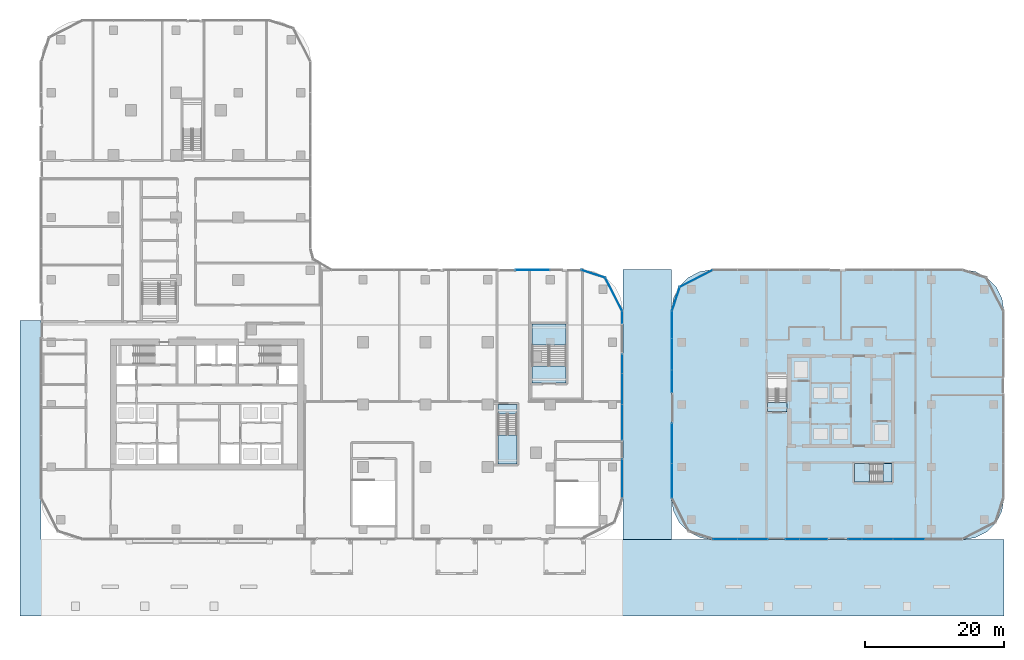
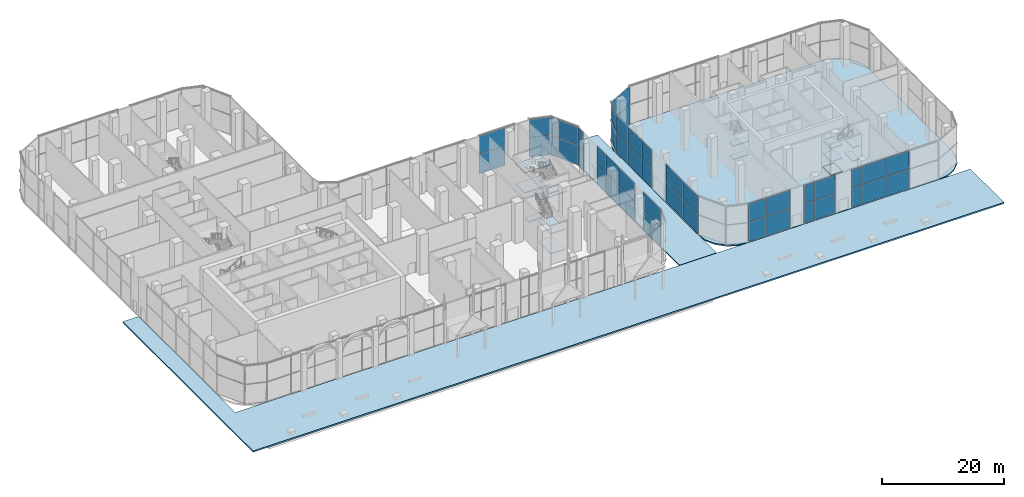
# One storey, part 25 of 54: 44 plates, 16 slabs, 15 elements without a shape of their own.
"""IFC4 building model written with IfcOpenShell, lengths in metres."""

from ifc_helpers import new_model, si_unit, direction, frame, origin, origin_2d, place, context, subcontext, project, spatial, polyline, rectangle, outline, extrude, material, layer, layer_set, type_object, element, aggregate, save


model = new_model("IFC4")

# Units and contexts
model_context = context("Model", 3, precision=1e-05, world=origin(), true_north=direction((0.0, 1.0)))
body_context = subcontext(model_context, "Body", "Model", "MODEL_VIEW")
ifc_project = project(units=[si_unit("LENGTHUNIT", "METRE"), si_unit("AREAUNIT", "SQUARE_METRE"), si_unit("VOLUMEUNIT", "CUBIC_METRE"), si_unit("PLANEANGLEUNIT", "RADIAN"), si_unit("MASSUNIT", "GRAM", prefix="KILO")], contexts=[model_context])

# Site, building, storey
site_placement = place(None, origin())
site = spatial("IfcSite", under=ifc_project, at=site_placement, CompositionType="ELEMENT")
building_placement = place(site_placement, origin())
building = spatial("IfcBuilding", under=site, at=building_placement, Name="Ogive Portal Towers", CompositionType="ELEMENT")
storey_placement = place(building_placement, origin())
storey = spatial("IfcBuildingStorey", under=building, at=storey_placement, Name="L00", CompositionType="ELEMENT", Elevation=0.0)

# Curtain wall, plates
ifc_material_1 = material(Name="Glass, clear low-iron insulated glazing", Category="glass")
curtain_wall_type = type_object("IfcCurtainWallType", Name="CW PODIUM SHOPFRONT", PredefinedType="NOTDEFINED", material=ifc_material_1)
curtain_wall_1_placement = place(storey_placement, origin())
curtain_wall_1 = element("IfcCurtainWall", 1, at=curtain_wall_1_placement, inside=storey, type_object=curtain_wall_type, Name="A:L00:f05:cw0", PredefinedType="NOTDEFINED")
ifc_layer_1 = layer(ifc_material_1, 0.028076171875)
ifc_layer_set_1 = layer_set([ifc_layer_1], Name="CW PANEL IGU 28")
plate_type = type_object("IfcPlateType", Name="CW PANEL IGU 28", PredefinedType="CURTAIN_PANEL", material=ifc_layer_set_1)
plate_1_placement = place(storey_placement, frame((104.919921875, 19.809326171875, 0.06005859375), z_axis=(0.0, 0.0, 1.0), x_axis=(0.0, 1.0, 0.0)))
plate_1 = element("IfcPlate", 2, at=plate_1_placement, type_object=plate_type, Name="panel", PredefinedType="CURTAIN_PANEL", context=body_context, shape_type="SweptSolid", body=[
    extrude(rectangle(XDim=5.533447265625, YDim=0.028076171875, at=origin_2d()), origin(), (0.0, 0.0, 1.0), 3.909912109375),
])
plate_2_placement = place(storey_placement, frame((104.919921875, 19.809326171875, 4.02978515625), z_axis=(0.0, 0.0, 1.0), x_axis=(0.0, 1.0, 0.0)))
plate_2 = element("IfcPlate", 3, at=plate_2_placement, type_object=plate_type, Name="panel", PredefinedType="CURTAIN_PANEL", context=body_context, shape_type="SweptSolid", body=[
    extrude(rectangle(XDim=5.533447265625, YDim=0.028076171875, at=origin_2d()), origin(), (0.0, 0.0, 1.0), 3.610107421875),
])
aggregate(curtain_wall_1, [plate_1, plate_2])

curtain_wall_2_placement = place(storey_placement, origin())
curtain_wall_2 = element("IfcCurtainWall", 4, at=curtain_wall_2_placement, inside=storey, type_object=curtain_wall_type, Name="A:L00:f05:cw1", PredefinedType="NOTDEFINED")
plate_3_placement = place(storey_placement, frame((104.919921875, 27.951416015625, 0.06005859375), z_axis=(0.0, 0.0, 1.0), x_axis=(0.0, 1.0, 0.0)))
plate_3 = element("IfcPlate", 5, at=plate_3_placement, type_object=plate_type, Name="panel", PredefinedType="CURTAIN_PANEL", context=body_context, shape_type="SweptSolid", body=[
    extrude(rectangle(XDim=5.037353515625, YDim=0.028076171875, at=origin_2d()), origin(), (0.0, 0.0, 1.0), 3.909912109375),
])
plate_4_placement = place(storey_placement, frame((104.919921875, 27.951416015625, 4.02978515625), z_axis=(0.0, 0.0, 1.0), x_axis=(0.0, 1.0, 0.0)))
plate_4 = element("IfcPlate", 6, at=plate_4_placement, type_object=plate_type, Name="panel", PredefinedType="CURTAIN_PANEL", context=body_context, shape_type="SweptSolid", body=[
    extrude(rectangle(XDim=5.037353515625, YDim=0.028076171875, at=origin_2d()), origin(), (0.0, 0.0, 1.0), 3.610107421875),
])
plate_5_placement = place(storey_placement, frame((104.919921875, 32.75, 0.06005859375), z_axis=(0.0, 0.0, 1.0), x_axis=(0.0, 1.0, 0.0)))
plate_5 = element("IfcPlate", 7, at=plate_5_placement, type_object=plate_type, Name="panel", PredefinedType="CURTAIN_PANEL", context=body_context, shape_type="SweptSolid", body=[
    extrude(rectangle(XDim=4.43994140625, YDim=0.028076171875, at=origin_2d()), origin(), (0.0, 0.0, 1.0), 3.909912109375),
])
plate_6_placement = place(storey_placement, frame((104.919921875, 32.75, 4.02978515625), z_axis=(0.0, 0.0, 1.0), x_axis=(0.0, 1.0, 0.0)))
plate_6 = element("IfcPlate", 8, at=plate_6_placement, type_object=plate_type, Name="panel", PredefinedType="CURTAIN_PANEL", context=body_context, shape_type="SweptSolid", body=[
    extrude(rectangle(XDim=4.43994140625, YDim=0.028076171875, at=origin_2d()), origin(), (0.0, 0.0, 1.0), 3.610107421875),
])
plate_7_placement = place(storey_placement, frame((104.919921875, 36.369140625, 0.06005859375), z_axis=(0.0, 0.0, 1.0), x_axis=(0.0, 1.0, 0.0)))
plate_7 = element("IfcPlate", 9, at=plate_7_placement, type_object=plate_type, Name="panel", PredefinedType="CURTAIN_PANEL", context=body_context, shape_type="SweptSolid", body=[
    extrude(rectangle(XDim=2.67822265625, YDim=0.028076171875, at=origin_2d()), origin(), (0.0, 0.0, 1.0), 3.909912109375),
])
plate_8_placement = place(storey_placement, frame((104.919921875, 36.369140625, 4.02978515625), z_axis=(0.0, 0.0, 1.0), x_axis=(0.0, 1.0, 0.0)))
plate_8 = element("IfcPlate", 10, at=plate_8_placement, type_object=plate_type, Name="panel", PredefinedType="CURTAIN_PANEL", context=body_context, shape_type="SweptSolid", body=[
    extrude(rectangle(XDim=2.67822265625, YDim=0.028076171875, at=origin_2d()), origin(), (0.0, 0.0, 1.0), 3.610107421875),
])
aggregate(curtain_wall_2, [plate_3, plate_4, plate_5, plate_6, plate_7, plate_8])

curtain_wall_3_placement = place(storey_placement, origin())
curtain_wall_3 = element("IfcCurtainWall", 11, at=curtain_wall_3_placement, inside=storey, type_object=curtain_wall_type, Name="A:L00:f05:cw2", PredefinedType="NOTDEFINED")
plate_9_placement = place(storey_placement, frame((104.919921875, 43.10693359375, 0.06005859375), z_axis=(0.0, 0.0, 1.0), x_axis=(0.0, 1.0, 0.0)))
plate_9 = element("IfcPlate", 12, at=plate_9_placement, type_object=plate_type, Name="panel", PredefinedType="CURTAIN_PANEL", context=body_context, shape_type="SweptSolid", body=[
    extrude(rectangle(XDim=1.68798828125, YDim=0.028076171875, at=origin_2d()), origin(), (0.0, 0.0, 1.0), 3.909912109375),
])
plate_10_placement = place(storey_placement, frame((104.919921875, 43.10693359375, 4.02978515625), z_axis=(0.0, 0.0, 1.0), x_axis=(0.0, 1.0, 0.0)))
plate_10 = element("IfcPlate", 13, at=plate_10_placement, type_object=plate_type, Name="panel", PredefinedType="CURTAIN_PANEL", context=body_context, shape_type="SweptSolid", body=[
    extrude(rectangle(XDim=1.68798828125, YDim=0.028076171875, at=origin_2d()), origin(), (0.0, 0.0, 1.0), 3.610107421875),
])
aggregate(curtain_wall_3, [plate_9, plate_10])

curtain_wall_4_placement = place(storey_placement, origin())
curtain_wall_4 = element("IfcCurtainWall", 14, at=curtain_wall_4_placement, inside=storey, type_object=curtain_wall_type, Name="A:L00:f08:cw0", PredefinedType="NOTDEFINED")
plate_11_placement = place(storey_placement, frame((92.017578125, 49.919921875, 0.06005859375), z_axis=(0.0, 0.0, 1.0), x_axis=(-1.0, 0.0, 0.0)))
plate_11 = element("IfcPlate", 15, at=plate_11_placement, type_object=plate_type, Name="panel", PredefinedType="CURTAIN_PANEL", context=body_context, shape_type="SweptSolid", body=[
    extrude(rectangle(XDim=4.905029296875, YDim=0.028076171875, at=origin_2d()), origin(), (0.0, 0.0, 1.0), 3.909912109375),
])
plate_12_placement = place(storey_placement, frame((92.017578125, 49.919921875, 4.02978515625), z_axis=(0.0, 0.0, 1.0), x_axis=(-1.0, 0.0, 0.0)))
plate_12 = element("IfcPlate", 16, at=plate_12_placement, type_object=plate_type, Name="panel", PredefinedType="CURTAIN_PANEL", context=body_context, shape_type="SweptSolid", body=[
    extrude(rectangle(XDim=4.905029296875, YDim=0.028076171875, at=origin_2d()), origin(), (0.0, 0.0, 1.0), 3.610107421875),
])
aggregate(curtain_wall_4, [plate_11, plate_12])

curtain_wall_5_placement = place(storey_placement, origin())
curtain_wall_5 = element("IfcCurtainWall", 17, at=curtain_wall_5_placement, inside=storey, type_object=curtain_wall_type, Name="A:L00:f06:cwa", PredefinedType="NOTDEFINED")
plate_13_placement = place(storey_placement, frame((103.6953125, 46.384521484375, 0.06005859375), z_axis=(0.0, 0.0, 1.0), x_axis=(-0.45399049974, 0.891006524188, 0.0)))
plate_13 = element("IfcPlate", 18, at=plate_13_placement, type_object=plate_type, Name="panel", PredefinedType="CURTAIN_PANEL", context=body_context, shape_type="SweptSolid", body=[
    extrude(rectangle(XDim=5.33544921875, YDim=0.028076171875, at=origin_2d()), origin(), (0.0, 0.0, 1.0), 3.909912109375),
])
plate_14_placement = place(storey_placement, frame((103.6953125, 46.384521484375, 4.02978515625), z_axis=(0.0, 0.0, 1.0), x_axis=(-0.45399049974, 0.891006524188, 0.0)))
plate_14 = element("IfcPlate", 19, at=plate_14_placement, type_object=plate_type, Name="panel", PredefinedType="CURTAIN_PANEL", context=body_context, shape_type="SweptSolid", body=[
    extrude(rectangle(XDim=5.33544921875, YDim=0.028076171875, at=origin_2d()), origin(), (0.0, 0.0, 1.0), 3.610107421875),
])
plate_15_placement = place(storey_placement, frame((100.72900390625, 49.354248046875, 0.06005859375), z_axis=(0.0, 0.0, 1.0), x_axis=(-0.951056516295, 0.309016994375, 0.0)))
plate_15 = element("IfcPlate", 20, at=plate_15_placement, type_object=plate_type, Name="panel", PredefinedType="CURTAIN_PANEL", context=body_context, shape_type="SweptSolid", body=[
    extrude(rectangle(XDim=3.602294921875, YDim=0.028076171875, at=origin_2d()), origin(), (0.0, 0.0, 1.0), 3.909912109375),
])
plate_16_placement = place(storey_placement, frame((100.72900390625, 49.354248046875, 4.02978515625), z_axis=(0.0, 0.0, 1.0), x_axis=(-0.951056516295, 0.309016994375, 0.0)))
plate_16 = element("IfcPlate", 21, at=plate_16_placement, type_object=plate_type, Name="panel", PredefinedType="CURTAIN_PANEL", context=body_context, shape_type="SweptSolid", body=[
    extrude(rectangle(XDim=3.602294921875, YDim=0.028076171875, at=origin_2d()), origin(), (0.0, 0.0, 1.0), 3.610107421875),
])
aggregate(curtain_wall_5, [plate_13, plate_14, plate_15, plate_16])

curtain_wall_6_placement = place(storey_placement, origin())
curtain_wall_6 = element("IfcCurtainWall", 22, at=curtain_wall_6_placement, inside=storey, type_object=curtain_wall_type, Name="B:L00:f02:cw0", PredefinedType="NOTDEFINED")
plate_17_placement = place(storey_placement, frame((119.75634765625, 11.080078125, 0.06005859375), z_axis=(0.0, 0.0, 1.0), x_axis=(1.0, 0.0, 0.0)))
plate_17 = element("IfcPlate", 23, at=plate_17_placement, type_object=plate_type, Name="panel", PredefinedType="CURTAIN_PANEL", context=body_context, shape_type="SweptSolid", body=[
    extrude(rectangle(XDim=3.42724609375, YDim=0.028076171875, at=origin_2d()), origin(), (0.0, 0.0, 1.0), 3.909912109375),
])
plate_18_placement = place(storey_placement, frame((119.75634765625, 11.080078125, 4.02978515625), z_axis=(0.0, 0.0, 1.0), x_axis=(1.0, 0.0, 0.0)))
plate_18 = element("IfcPlate", 24, at=plate_18_placement, type_object=plate_type, Name="panel", PredefinedType="CURTAIN_PANEL", context=body_context, shape_type="SweptSolid", body=[
    extrude(rectangle(XDim=3.42724609375, YDim=0.028076171875, at=origin_2d()), origin(), (0.0, 0.0, 1.0), 3.610107421875),
])
plate_19_placement = place(storey_placement, frame((123.702880859375, 11.080078125, 0.06005859375), z_axis=(0.0, 0.0, 1.0), x_axis=(1.0, 0.0, 0.0)))
plate_19 = element("IfcPlate", 25, at=plate_19_placement, type_object=plate_type, Name="panel", PredefinedType="CURTAIN_PANEL", context=body_context, shape_type="SweptSolid", body=[
    extrude(rectangle(XDim=4.345703125, YDim=0.028076171875, at=origin_2d()), origin(), (0.0, 0.0, 1.0), 3.909912109375),
])
plate_20_placement = place(storey_placement, frame((123.702880859375, 11.080078125, 4.02978515625), z_axis=(0.0, 0.0, 1.0), x_axis=(1.0, 0.0, 0.0)))
plate_20 = element("IfcPlate", 26, at=plate_20_placement, type_object=plate_type, Name="panel", PredefinedType="CURTAIN_PANEL", context=body_context, shape_type="SweptSolid", body=[
    extrude(rectangle(XDim=4.345703125, YDim=0.028076171875, at=origin_2d()), origin(), (0.0, 0.0, 1.0), 3.610107421875),
])
aggregate(curtain_wall_6, [plate_17, plate_18, plate_19, plate_20])

curtain_wall_7_placement = place(storey_placement, origin())
curtain_wall_7 = element("IfcCurtainWall", 27, at=curtain_wall_7_placement, inside=storey, type_object=curtain_wall_type, Name="B:L00:f02:cw1", PredefinedType="NOTDEFINED")
plate_21_placement = place(storey_placement, frame((129.501708984375, 11.080078125, 0.06005859375), z_axis=(0.0, 0.0, 1.0), x_axis=(1.0, 0.0, 0.0)))
plate_21 = element("IfcPlate", 28, at=plate_21_placement, type_object=plate_type, Name="panel", PredefinedType="CURTAIN_PANEL", context=body_context, shape_type="SweptSolid", body=[
    extrude(rectangle(XDim=1.9365234375, YDim=0.028076171875, at=origin_2d()), origin(), (0.0, 0.0, 1.0), 3.909912109375),
])
plate_22_placement = place(storey_placement, frame((129.501708984375, 11.080078125, 4.02978515625), z_axis=(0.0, 0.0, 1.0), x_axis=(1.0, 0.0, 0.0)))
plate_22 = element("IfcPlate", 29, at=plate_22_placement, type_object=plate_type, Name="panel", PredefinedType="CURTAIN_PANEL", context=body_context, shape_type="SweptSolid", body=[
    extrude(rectangle(XDim=1.9365234375, YDim=0.028076171875, at=origin_2d()), origin(), (0.0, 0.0, 1.0), 3.610107421875),
])
plate_23_placement = place(storey_placement, frame((132.4990234375, 11.080078125, 0.06005859375), z_axis=(0.0, 0.0, 1.0), x_axis=(1.0, 0.0, 0.0)))
plate_23 = element("IfcPlate", 30, at=plate_23_placement, type_object=plate_type, Name="panel", PredefinedType="CURTAIN_PANEL", context=body_context, shape_type="SweptSolid", body=[
    extrude(rectangle(XDim=3.93798828125, YDim=0.028076171875, at=origin_2d()), origin(), (0.0, 0.0, 1.0), 3.909912109375),
])
plate_24_placement = place(storey_placement, frame((132.4990234375, 11.080078125, 4.02978515625), z_axis=(0.0, 0.0, 1.0), x_axis=(1.0, 0.0, 0.0)))
plate_24 = element("IfcPlate", 31, at=plate_24_placement, type_object=plate_type, Name="panel", PredefinedType="CURTAIN_PANEL", context=body_context, shape_type="SweptSolid", body=[
    extrude(rectangle(XDim=3.93798828125, YDim=0.028076171875, at=origin_2d()), origin(), (0.0, 0.0, 1.0), 3.610107421875),
])
aggregate(curtain_wall_7, [plate_21, plate_22, plate_23, plate_24])

curtain_wall_8_placement = place(storey_placement, origin())
curtain_wall_8 = element("IfcCurtainWall", 32, at=curtain_wall_8_placement, inside=storey, type_object=curtain_wall_type, Name="B:L00:f02:cw2", PredefinedType="NOTDEFINED")
plate_25_placement = place(storey_placement, frame((138.497802734375, 11.080078125, 0.06005859375), z_axis=(0.0, 0.0, 1.0), x_axis=(1.0, 0.0, 0.0)))
plate_25 = element("IfcPlate", 33, at=plate_25_placement, type_object=plate_type, Name="panel", PredefinedType="CURTAIN_PANEL", context=body_context, shape_type="SweptSolid", body=[
    extrude(rectangle(XDim=1.944580078125, YDim=0.028076171875, at=origin_2d()), origin(), (0.0, 0.0, 1.0), 3.909912109375),
])
plate_26_placement = place(storey_placement, frame((138.497802734375, 11.080078125, 4.02978515625), z_axis=(0.0, 0.0, 1.0), x_axis=(1.0, 0.0, 0.0)))
plate_26 = element("IfcPlate", 34, at=plate_26_placement, type_object=plate_type, Name="panel", PredefinedType="CURTAIN_PANEL", context=body_context, shape_type="SweptSolid", body=[
    extrude(rectangle(XDim=1.944580078125, YDim=0.028076171875, at=origin_2d()), origin(), (0.0, 0.0, 1.0), 3.610107421875),
])
plate_27_placement = place(storey_placement, frame((141.75, 11.080078125, 0.06005859375), z_axis=(0.0, 0.0, 1.0), x_axis=(1.0, 0.0, 0.0)))
plate_27 = element("IfcPlate", 35, at=plate_27_placement, type_object=plate_type, Name="panel", PredefinedType="CURTAIN_PANEL", context=body_context, shape_type="SweptSolid", body=[
    extrude(rectangle(XDim=4.43994140625, YDim=0.028076171875, at=origin_2d()), origin(), (0.0, 0.0, 1.0), 3.909912109375),
])
plate_28_placement = place(storey_placement, frame((141.75, 11.080078125, 4.02978515625), z_axis=(0.0, 0.0, 1.0), x_axis=(1.0, 0.0, 0.0)))
plate_28 = element("IfcPlate", 36, at=plate_28_placement, type_object=plate_type, Name="panel", PredefinedType="CURTAIN_PANEL", context=body_context, shape_type="SweptSolid", body=[
    extrude(rectangle(XDim=4.43994140625, YDim=0.028076171875, at=origin_2d()), origin(), (0.0, 0.0, 1.0), 3.610107421875),
])
plate_29_placement = place(storey_placement, frame((146.25, 11.080078125, 0.06005859375), z_axis=(0.0, 0.0, 1.0), x_axis=(1.0, 0.0, 0.0)))
plate_29 = element("IfcPlate", 37, at=plate_29_placement, type_object=plate_type, Name="panel", PredefinedType="CURTAIN_PANEL", context=body_context, shape_type="SweptSolid", body=[
    extrude(rectangle(XDim=4.43994140625, YDim=0.028076171875, at=origin_2d()), origin(), (0.0, 0.0, 1.0), 3.909912109375),
])
plate_30_placement = place(storey_placement, frame((146.25, 11.080078125, 4.02978515625), z_axis=(0.0, 0.0, 1.0), x_axis=(1.0, 0.0, 0.0)))
plate_30 = element("IfcPlate", 38, at=plate_30_placement, type_object=plate_type, Name="panel", PredefinedType="CURTAIN_PANEL", context=body_context, shape_type="SweptSolid", body=[
    extrude(rectangle(XDim=4.43994140625, YDim=0.028076171875, at=origin_2d()), origin(), (0.0, 0.0, 1.0), 3.610107421875),
])
aggregate(curtain_wall_8, [plate_25, plate_26, plate_27, plate_28, plate_29, plate_30])

curtain_wall_9_placement = place(storey_placement, origin())
curtain_wall_9 = element("IfcCurtainWall", 39, at=curtain_wall_9_placement, inside=storey, type_object=curtain_wall_type, Name="B:L00:f11:cw0", PredefinedType="NOTDEFINED")
plate_31_placement = place(storey_placement, frame((112.080078125, 41.99365234375, 0.06005859375), z_axis=(0.0, 0.0, 1.0), x_axis=(0.0, -1.0, 0.0)))
plate_31 = element("IfcPlate", 40, at=plate_31_placement, type_object=plate_type, Name="panel", PredefinedType="CURTAIN_PANEL", context=body_context, shape_type="SweptSolid", body=[
    extrude(rectangle(XDim=3.92724609375, YDim=0.028076171875, at=origin_2d()), origin(), (0.0, 0.0, 1.0), 3.909912109375),
])
plate_32_placement = place(storey_placement, frame((112.080078125, 41.99365234375, 4.02978515625), z_axis=(0.0, 0.0, 1.0), x_axis=(0.0, -1.0, 0.0)))
plate_32 = element("IfcPlate", 41, at=plate_32_placement, type_object=plate_type, Name="panel", PredefinedType="CURTAIN_PANEL", context=body_context, shape_type="SweptSolid", body=[
    extrude(rectangle(XDim=3.92724609375, YDim=0.028076171875, at=origin_2d()), origin(), (0.0, 0.0, 1.0), 3.610107421875),
])
plate_33_placement = place(storey_placement, frame((112.080078125, 37.75, 0.06005859375), z_axis=(0.0, 0.0, 1.0), x_axis=(0.0, -1.0, 0.0)))
plate_33 = element("IfcPlate", 42, at=plate_33_placement, type_object=plate_type, Name="panel", PredefinedType="CURTAIN_PANEL", context=body_context, shape_type="SweptSolid", body=[
    extrude(rectangle(XDim=4.43994140625, YDim=0.028076171875, at=origin_2d()), origin(), (0.0, 0.0, 1.0), 3.909912109375),
])
plate_34_placement = place(storey_placement, frame((112.080078125, 37.75, 4.02978515625), z_axis=(0.0, 0.0, 1.0), x_axis=(0.0, -1.0, 0.0)))
plate_34 = element("IfcPlate", 43, at=plate_34_placement, type_object=plate_type, Name="panel", PredefinedType="CURTAIN_PANEL", context=body_context, shape_type="SweptSolid", body=[
    extrude(rectangle(XDim=4.43994140625, YDim=0.028076171875, at=origin_2d()), origin(), (0.0, 0.0, 1.0), 3.610107421875),
])
plate_35_placement = place(storey_placement, frame((112.080078125, 33.87548828125, 0.06005859375), z_axis=(0.0, 0.0, 1.0), x_axis=(0.0, -1.0, 0.0)))
plate_35 = element("IfcPlate", 44, at=plate_35_placement, type_object=plate_type, Name="panel", PredefinedType="CURTAIN_PANEL", context=body_context, shape_type="SweptSolid", body=[
    extrude(rectangle(XDim=3.188720703125, YDim=0.028076171875, at=origin_2d()), origin(), (0.0, 0.0, 1.0), 3.909912109375),
])
plate_36_placement = place(storey_placement, frame((112.080078125, 33.87548828125, 4.02978515625), z_axis=(0.0, 0.0, 1.0), x_axis=(0.0, -1.0, 0.0)))
plate_36 = element("IfcPlate", 45, at=plate_36_placement, type_object=plate_type, Name="panel", PredefinedType="CURTAIN_PANEL", context=body_context, shape_type="SweptSolid", body=[
    extrude(rectangle(XDim=3.188720703125, YDim=0.028076171875, at=origin_2d()), origin(), (0.0, 0.0, 1.0), 3.610107421875),
])
aggregate(curtain_wall_9, [plate_31, plate_32, plate_33, plate_34, plate_35, plate_36])

curtain_wall_10_placement = place(storey_placement, origin())
curtain_wall_10 = element("IfcCurtainWall", 46, at=curtain_wall_10_placement, inside=storey, type_object=curtain_wall_type, Name="B:L00:f11:cw1", PredefinedType="NOTDEFINED")
plate_37_placement = place(storey_placement, frame((112.080078125, 24.878173828125, 0.06005859375), z_axis=(0.0, 0.0, 1.0), x_axis=(0.0, -1.0, 0.0)))
plate_37 = element("IfcPlate", 47, at=plate_37_placement, type_object=plate_type, Name="panel", PredefinedType="CURTAIN_PANEL", context=body_context, shape_type="SweptSolid", body=[
    extrude(rectangle(XDim=5.696533203125, YDim=0.028076171875, at=origin_2d()), origin(), (0.0, 0.0, 1.0), 3.909912109375),
])
plate_38_placement = place(storey_placement, frame((112.080078125, 24.878173828125, 4.02978515625), z_axis=(0.0, 0.0, 1.0), x_axis=(0.0, -1.0, 0.0)))
plate_38 = element("IfcPlate", 48, at=plate_38_placement, type_object=plate_type, Name="panel", PredefinedType="CURTAIN_PANEL", context=body_context, shape_type="SweptSolid", body=[
    extrude(rectangle(XDim=5.696533203125, YDim=0.028076171875, at=origin_2d()), origin(), (0.0, 0.0, 1.0), 3.610107421875),
])
plate_39_placement = place(storey_placement, frame((112.080078125, 19.509521484375, 0.06005859375), z_axis=(0.0, 0.0, 1.0), x_axis=(0.0, -1.0, 0.0)))
plate_39 = element("IfcPlate", 49, at=plate_39_placement, type_object=plate_type, Name="panel", PredefinedType="CURTAIN_PANEL", context=body_context, shape_type="SweptSolid", body=[
    extrude(rectangle(XDim=4.9208984375, YDim=0.028076171875, at=origin_2d()), origin(), (0.0, 0.0, 1.0), 3.909912109375),
])
plate_40_placement = place(storey_placement, frame((112.080078125, 19.509521484375, 4.02978515625), z_axis=(0.0, 0.0, 1.0), x_axis=(0.0, -1.0, 0.0)))
plate_40 = element("IfcPlate", 50, at=plate_40_placement, type_object=plate_type, Name="panel", PredefinedType="CURTAIN_PANEL", context=body_context, shape_type="SweptSolid", body=[
    extrude(rectangle(XDim=4.9208984375, YDim=0.028076171875, at=origin_2d()), origin(), (0.0, 0.0, 1.0), 3.610107421875),
])
aggregate(curtain_wall_10, [plate_37, plate_38, plate_39, plate_40])

curtain_wall_11_placement = place(storey_placement, origin())
curtain_wall_11 = element("IfcCurtainWall", 51, at=curtain_wall_11_placement, inside=storey, type_object=curtain_wall_type, Name="B:L00:f09:cwa", PredefinedType="NOTDEFINED")
plate_41_placement = place(storey_placement, frame((115.615478515625, 48.6953125, 0.06005859375), z_axis=(0.0, 0.0, 1.0), x_axis=(-0.891006524188, -0.45399049974, 0.0)))
plate_41 = element("IfcPlate", 52, at=plate_41_placement, type_object=plate_type, Name="panel", PredefinedType="CURTAIN_PANEL", context=body_context, shape_type="SweptSolid", body=[
    extrude(rectangle(XDim=5.33544921875, YDim=0.028076171875, at=origin_2d()), origin(), (0.0, 0.0, 1.0), 3.909912109375),
])
plate_42_placement = place(storey_placement, frame((115.615478515625, 48.6953125, 4.02978515625), z_axis=(0.0, 0.0, 1.0), x_axis=(-0.891006524188, -0.45399049974, 0.0)))
plate_42 = element("IfcPlate", 53, at=plate_42_placement, type_object=plate_type, Name="panel", PredefinedType="CURTAIN_PANEL", context=body_context, shape_type="SweptSolid", body=[
    extrude(rectangle(XDim=5.33544921875, YDim=0.028076171875, at=origin_2d()), origin(), (0.0, 0.0, 1.0), 3.610107421875),
])
plate_43_placement = place(storey_placement, frame((112.645751953125, 45.72900390625, 0.06005859375), z_axis=(0.0, 0.0, 1.0), x_axis=(-0.309016994375, -0.951056516295, 0.0)))
plate_43 = element("IfcPlate", 54, at=plate_43_placement, type_object=plate_type, Name="panel", PredefinedType="CURTAIN_PANEL", context=body_context, shape_type="SweptSolid", body=[
    extrude(rectangle(XDim=3.602294921875, YDim=0.028076171875, at=origin_2d()), origin(), (0.0, 0.0, 1.0), 3.909912109375),
])
plate_44_placement = place(storey_placement, frame((112.645751953125, 45.72900390625, 4.02978515625), z_axis=(0.0, 0.0, 1.0), x_axis=(-0.309016994375, -0.951056516295, 0.0)))
plate_44 = element("IfcPlate", 55, at=plate_44_placement, type_object=plate_type, Name="panel", PredefinedType="CURTAIN_PANEL", context=body_context, shape_type="SweptSolid", body=[
    extrude(rectangle(XDim=3.602294921875, YDim=0.028076171875, at=origin_2d()), origin(), (0.0, 0.0, 1.0), 3.610107421875),
])
aggregate(curtain_wall_11, [plate_41, plate_42, plate_43, plate_44])

# Stair, slabs
ifc_material_2 = material(Name="Concrete C40/50", Category="concrete")
stair_type = type_object("IfcStairType", Name="INT-STAIR", PredefinedType="HALF_TURN_STAIR", material=ifc_material_2)
stair_1_placement = place(storey_placement, origin())
stair_1 = element("IfcStair", 56, at=stair_1_placement, inside=storey, type_object=stair_type, Name="L00 Exit Stair ST-A4", PredefinedType="HALF_TURN_STAIR")
ifc_layer_2 = layer(ifc_material_2, 0.199951171875)
ifc_layer_set_2 = layer_set([ifc_layer_2], Name="INT-LANDING")
slab_type_1 = type_object("IfcSlabType", Name="INT-LANDING", PredefinedType="LANDING", material=ifc_layer_set_2)
slab_1_placement = place(storey_placement, frame((0.0, 0.0, 1.800048828125)))
slab_1 = element("IfcSlab", 57, at=slab_1_placement, type_object=slab_type_1, Name="ST-A4 landing 1", PredefinedType="LANDING", context=body_context, shape_type="SweptSolid", body=[
    extrude(outline(polyline([(87.0, 26.090087890625), (87.0, 21.949951171875), (89.699951171875, 21.949951171875), (89.699951171875, 26.090087890625), (87.0, 26.090087890625)])), origin(), (0.0, 0.0, 1.0), 0.199951171875),
])
slab_2_placement = place(storey_placement, frame((0.0, 0.0, 3.800048828125)))
slab_2 = element("IfcSlab", 58, at=slab_2_placement, type_object=slab_type_1, Name="ST-A4 landing 2", PredefinedType="LANDING", context=body_context, shape_type="SweptSolid", body=[
    extrude(outline(polyline([(87.0, 30.5), (87.0, 29.169921875), (89.699951171875, 29.169921875), (89.699951171875, 30.5), (87.0, 30.5)])), origin(), (0.0, 0.0, 1.0), 0.199951171875),
])
slab_3_placement = place(storey_placement, frame((0.0, 0.0, 5.800048828125)))
slab_3 = element("IfcSlab", 59, at=slab_3_placement, type_object=slab_type_1, Name="ST-A4 landing 3", PredefinedType="LANDING", context=body_context, shape_type="SweptSolid", body=[
    extrude(outline(polyline([(87.0, 26.090087890625), (87.0, 21.949951171875), (89.699951171875, 21.949951171875), (89.699951171875, 26.090087890625), (87.0, 26.090087890625)])), origin(), (0.0, 0.0, 1.0), 0.199951171875),
])
aggregate(stair_1, [slab_1, slab_2, slab_3])

stair_2_placement = place(storey_placement, origin())
stair_2 = element("IfcStair", 60, at=stair_2_placement, inside=storey, type_object=stair_type, Name="L00 Exit Stair ST-B1", PredefinedType="HALF_TURN_STAIR")
slab_4_placement = place(storey_placement, frame((0.0, 0.0, 2.466552734375)))
slab_4 = element("IfcSlab", 61, at=slab_4_placement, type_object=slab_type_1, Name="ST-B1 landing 2", PredefinedType="LANDING", context=body_context, shape_type="SweptSolid", body=[
    extrude(outline(polyline([(128.699951171875, 29.5), (128.699951171875, 30.800048828125), (125.85009765625, 30.800048828125), (125.85009765625, 29.5), (128.699951171875, 29.5)])), origin(), (0.0, 0.0, 1.0), 0.2001953125),
])
slab_5_placement = place(storey_placement, frame((0.0, 0.0, 5.13330078125)))
slab_5 = element("IfcSlab", 62, at=slab_5_placement, type_object=slab_type_1, Name="ST-B1 landing 4", PredefinedType="LANDING", context=body_context, shape_type="SweptSolid", body=[
    extrude(outline(polyline([(128.699951171875, 29.5), (128.699951171875, 30.800048828125), (125.85009765625, 30.800048828125), (125.85009765625, 29.5), (128.699951171875, 29.5)])), origin(), (0.0, 0.0, 1.0), 0.199951171875),
])
aggregate(stair_2, [slab_4, slab_5])

stair_3_placement = place(storey_placement, origin())
stair_3 = element("IfcStair", 63, at=stair_3_placement, inside=storey, type_object=stair_type, Name="L00 Exit Stair ST-B2", PredefinedType="HALF_TURN_STAIR")
slab_6_placement = place(storey_placement, frame((0.0, 0.0, 1.13330078125)))
slab_6 = element("IfcSlab", 64, at=slab_6_placement, type_object=slab_type_1, Name="ST-B2 landing 1", PredefinedType="LANDING", context=body_context, shape_type="SweptSolid", body=[
    extrude(outline(polyline([(140.590087890625, 22.0), (138.449951171875, 22.0), (138.449951171875, 19.300048828125), (140.590087890625, 19.300048828125), (140.590087890625, 22.0)])), origin(), (0.0, 0.0, 1.0), 0.199951171875),
])
slab_7_placement = place(storey_placement, frame((0.0, 0.0, 2.466552734375)))
slab_7 = element("IfcSlab", 65, at=slab_7_placement, type_object=slab_type_1, Name="ST-B2 landing 2", PredefinedType="LANDING", context=body_context, shape_type="SweptSolid", body=[
    extrude(outline(polyline([(143.85009765625, 22.0), (142.550048828125, 22.0), (142.550048828125, 19.300048828125), (143.85009765625, 19.300048828125), (143.85009765625, 22.0)])), origin(), (0.0, 0.0, 1.0), 0.2001953125),
])
slab_8_placement = place(storey_placement, frame((0.0, 0.0, 3.800048828125)))
slab_8 = element("IfcSlab", 66, at=slab_8_placement, type_object=slab_type_1, Name="ST-B2 landing 3", PredefinedType="LANDING", context=body_context, shape_type="SweptSolid", body=[
    extrude(outline(polyline([(140.590087890625, 22.0), (138.449951171875, 22.0), (138.449951171875, 19.300048828125), (140.590087890625, 19.300048828125), (140.590087890625, 22.0)])), origin(), (0.0, 0.0, 1.0), 0.199951171875),
])
slab_9_placement = place(storey_placement, frame((0.0, 0.0, 5.13330078125)))
slab_9 = element("IfcSlab", 67, at=slab_9_placement, type_object=slab_type_1, Name="ST-B2 landing 4", PredefinedType="LANDING", context=body_context, shape_type="SweptSolid", body=[
    extrude(outline(polyline([(143.85009765625, 22.0), (142.550048828125, 22.0), (142.550048828125, 19.300048828125), (143.85009765625, 19.300048828125), (143.85009765625, 22.0)])), origin(), (0.0, 0.0, 1.0), 0.199951171875),
])
slab_10_placement = place(storey_placement, frame((0.0, 0.0, 6.466552734375)))
slab_10 = element("IfcSlab", 68, at=slab_10_placement, type_object=slab_type_1, Name="ST-B2 landing 5", PredefinedType="LANDING", context=body_context, shape_type="SweptSolid", body=[
    extrude(outline(polyline([(140.590087890625, 22.0), (138.449951171875, 22.0), (138.449951171875, 19.300048828125), (140.590087890625, 19.300048828125), (140.590087890625, 22.0)])), origin(), (0.0, 0.0, 1.0), 0.2001953125),
])
aggregate(stair_3, [slab_6, slab_7, slab_8, slab_9, slab_10])

stair_4_placement = place(storey_placement, origin())
stair_4 = element("IfcStair", 69, at=stair_4_placement, inside=storey, type_object=stair_type, Name="L00 Exit Stair ST-P1", PredefinedType="HALF_TURN_STAIR")
slab_11_placement = place(storey_placement, frame((0.0, 0.0, 1.800048828125)))
slab_11 = element("IfcSlab", 70, at=slab_11_placement, type_object=slab_type_1, Name="ST-P1 landing 1", PredefinedType="LANDING", context=body_context, shape_type="SweptSolid", body=[
    extrude(outline(polyline([(96.800048828125, 39.1298828125), (96.800048828125, 42.14990234375), (91.89990234375, 42.14990234375), (91.89990234375, 39.1298828125), (96.800048828125, 39.1298828125)])), origin(), (0.0, 0.0, 1.0), 0.199951171875),
])
slab_12_placement = place(storey_placement, frame((0.0, 0.0, 3.800048828125)))
slab_12 = element("IfcSlab", 71, at=slab_12_placement, type_object=slab_type_1, Name="ST-P1 landing 2", PredefinedType="LANDING", context=body_context, shape_type="SweptSolid", body=[
    extrude(outline(polyline([(96.800048828125, 33.64990234375), (96.800048828125, 36.050048828125), (91.89990234375, 36.050048828125), (91.89990234375, 33.64990234375), (96.800048828125, 33.64990234375)])), origin(), (0.0, 0.0, 1.0), 0.199951171875),
])
slab_13_placement = place(storey_placement, frame((0.0, 0.0, 5.800048828125)))
slab_13 = element("IfcSlab", 72, at=slab_13_placement, type_object=slab_type_1, Name="ST-P1 landing 3", PredefinedType="LANDING", context=body_context, shape_type="SweptSolid", body=[
    extrude(outline(polyline([(96.800048828125, 39.1298828125), (96.800048828125, 42.14990234375), (91.89990234375, 42.14990234375), (91.89990234375, 39.1298828125), (96.800048828125, 39.1298828125)])), origin(), (0.0, 0.0, 1.0), 0.199951171875),
])
aggregate(stair_4, [slab_11, slab_12, slab_13])

# Slabs
ifc_material_3 = material(Name="Granite paving on concrete bed", Category="masonry")
ifc_layer_3 = layer(ifc_material_3, 0.280029296875)
ifc_layer_set_3 = layer_set([ifc_layer_3], Name="PAVING 280")
slab_type_2 = type_object("IfcSlabType", Name="PAVING 280", PredefinedType="USERDEFINED", material=ifc_layer_set_3)
slab_14_placement = place(storey_placement, frame((0.0, 0.0, -0.300048828125)))
element("IfcSlab", 73, at=slab_14_placement, inside=storey, type_object=slab_type_2, Name="Plaza paving", ObjectType="PAVING", PredefinedType="USERDEFINED", context=body_context, shape_type="SweptSolid", body=[
    extrude(outline(polyline([(18.0, 0.0), (160.0, 0.0), (160.0, 11.0), (21.0, 11.0), (21.0, 42.64990234375), (18.0, 42.64990234375), (18.0, 0.0)])), origin(), (0.0, 0.0, 1.0), 0.280029296875),
])
ifc_material_4 = material(Name="Concrete C45/55", Category="concrete")
ifc_layer_4 = layer(ifc_material_4, 0.25)
ifc_layer_set_4 = layer_set([ifc_layer_4], Name="SLAB ON GRADE 250")
slab_type_3 = type_object("IfcSlabType", Name="SLAB ON GRADE 250", PredefinedType="BASESLAB", material=ifc_layer_set_4)
slab_15_placement = place(storey_placement, frame((0.0, 0.0, -0.25)))
element("IfcSlab", 74, at=slab_15_placement, inside=storey, type_object=slab_type_3, Name="Floor slab L00", PredefinedType="BASESLAB", context=body_context, shape_type="SweptSolid", body=[
    extrude(outline(polyline([(112.0, 17.0), (112.293701171875, 15.14599609375), (113.14599609375, 13.473388671875), (114.473388671875, 12.14599609375), (116.14599609375, 11.293701171875), (118.0, 11.0), (154.0, 11.0), (155.85400390625, 11.293701171875), (157.526611328125, 12.14599609375), (158.85400390625, 13.473388671875), (159.706298828125, 15.14599609375), (160.0, 17.0), (160.0, 44.0), (159.706298828125, 45.85400390625), (158.85400390625, 47.526611328125), (157.526611328125, 48.85400390625), (155.85400390625, 49.706298828125), (154.0, 50.0), (118.0, 50.0), (116.14599609375, 49.706298828125), (114.473388671875, 48.85400390625), (113.14599609375, 47.526611328125), (112.293701171875, 45.85400390625), (112.0, 44.0), (112.0, 17.0)])), origin(), (0.0, 0.0, 1.0), 0.25),
])
slab_16_placement = place(storey_placement, frame((0.0, 0.0, -0.25)))
element("IfcSlab", 75, at=slab_16_placement, inside=storey, type_object=slab_type_3, Name="Street slab L00", PredefinedType="BASESLAB", context=body_context, shape_type="SweptSolid", body=[
    extrude(outline(polyline([(105.0, 11.0), (112.0, 11.0), (112.0, 50.0), (105.0, 50.0), (105.0, 11.0)])), origin(), (0.0, 0.0, 1.0), 0.25),
])

save(model, "model.ifc")
